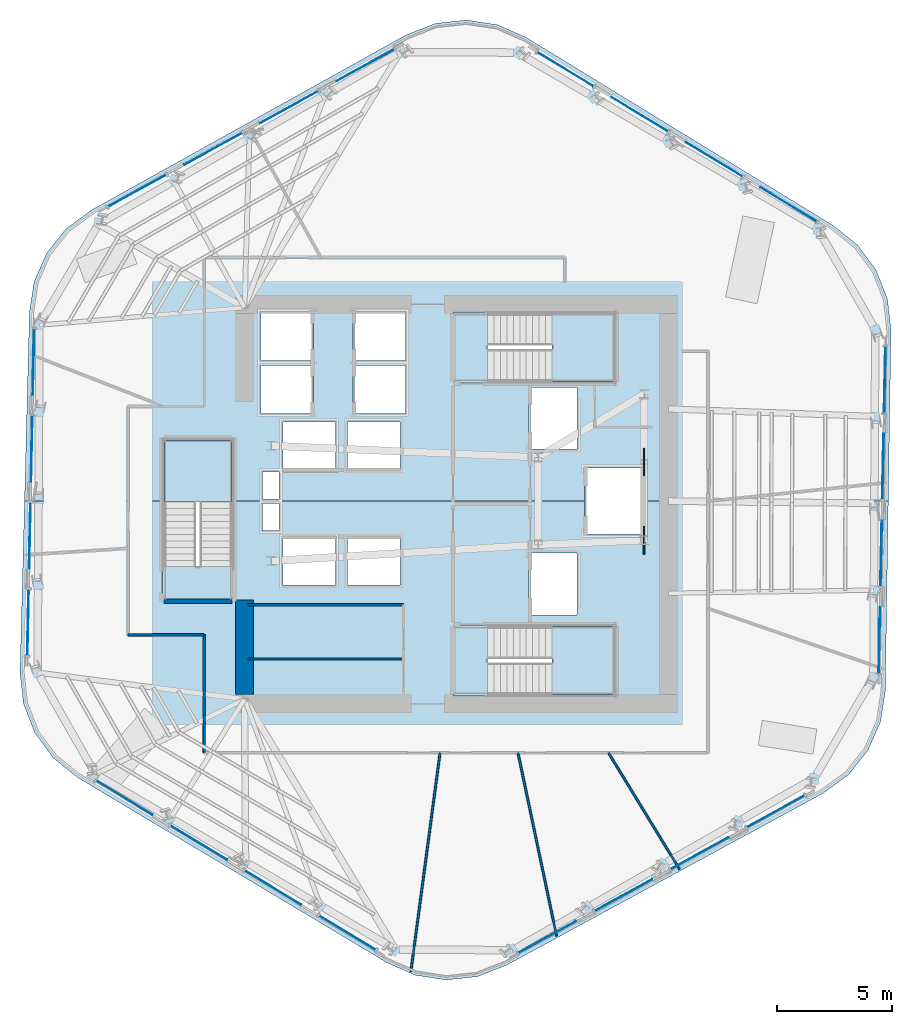
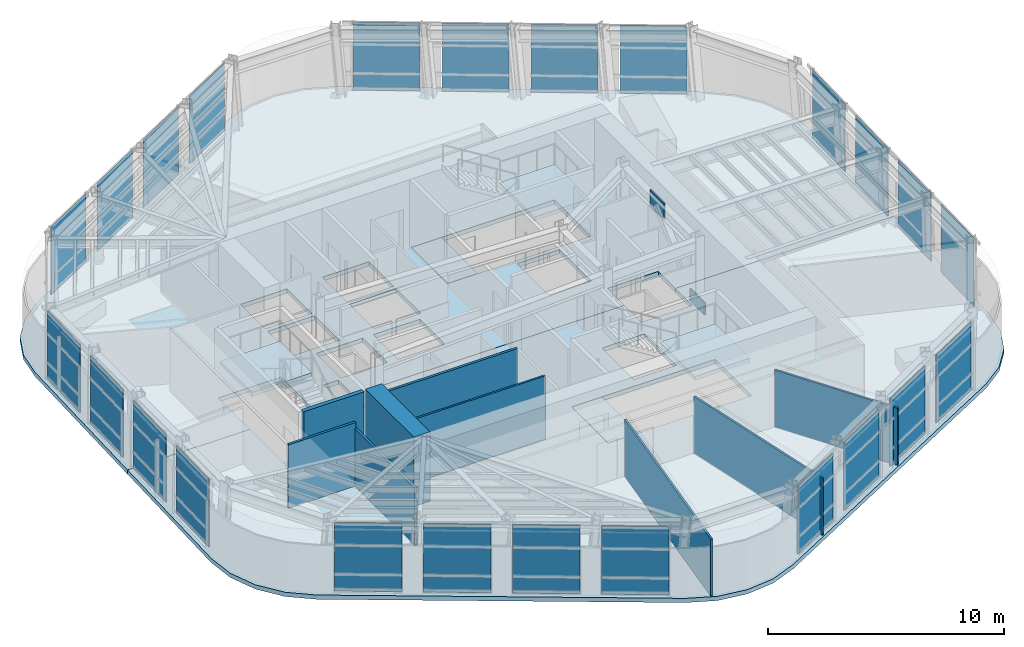
# One storey, part 6 of 14: 26 plates, 9 walls, 8 slabs, 9 elements without a shape of their own.
"""IFC4 building model written with IfcOpenShell, lengths in metres."""

from ifc_helpers import new_model, si_unit, direction, frame, frame_2d, origin, origin_2d, place, context, subcontext, project, spatial, polyline, rectangle, outline, extrude, material, layer, layer_set, type_object, element, aggregate, save


model = new_model("IFC4")

# Units and contexts
model_context = context("Model", 3, precision=1e-05, world=origin(), true_north=direction((0.0, 1.0)))
body_context = subcontext(model_context, "Body", "Model", "MODEL_VIEW")
ifc_project = project(units=[si_unit("LENGTHUNIT", "METRE"), si_unit("AREAUNIT", "SQUARE_METRE"), si_unit("VOLUMEUNIT", "CUBIC_METRE"), si_unit("PLANEANGLEUNIT", "RADIAN"), si_unit("MASSUNIT", "GRAM", prefix="KILO")], contexts=[model_context])

# Site, building, storey
site_placement = place(None, origin())
site = spatial("IfcSite", under=ifc_project, at=site_placement, CompositionType="ELEMENT")
building_placement = place(site_placement, origin())
building = spatial("IfcBuilding", under=site, at=building_placement, Name="Valkerne Bourse Tower", CompositionType="ELEMENT")
storey_placement = place(building_placement, frame((0.0, 0.0, 147.60009765625)))
storey = spatial("IfcBuildingStorey", under=building, at=storey_placement, Name="L37", CompositionType="ELEMENT", Elevation=147.60009765625)

# Curtain wall, plates
ifc_material_1 = material(Name="Aluminium AA 6063-T6", Category="aluminium")
ifc_layer_1 = layer(ifc_material_1, 0.235107421875)
ifc_layer_set_1 = layer_set([ifc_layer_1], Name="Aluminium AA 6063-T6")
curtain_wall_type = type_object("IfcCurtainWallType", Name="CW-03", PredefinedType="NOTDEFINED", material=ifc_layer_set_1)
curtain_wall_1_placement = place(storey_placement, origin())
curtain_wall_1 = element("IfcCurtainWall", 1, at=curtain_wall_1_placement, inside=storey, type_object=curtain_wall_type, Name="L37 Hexagonal Stick Curtain Wall Face 1", PredefinedType="NOTDEFINED")
ifc_material_2 = material(Name="Glass IGU Low-E Double Glazed", Category="glass")
ifc_layer_2 = layer(ifc_material_2, 0.031982421875)
ifc_layer_set_2 = layer_set([ifc_layer_2], Name="Glass IGU Low-E Double Glazed")
plate_type_1 = type_object("IfcPlateType", Name="CW-PNL-IGU-32", PredefinedType="CURTAIN_PANEL", material=ifc_layer_set_2)
plate_1_placement = place(storey_placement, frame((61.213134765625, 39.879638671875, 0.02978515625), z_axis=(0.0, 0.0, 1.0), x_axis=(-0.855356297425, 0.518040157184, 0.0)))
plate_1 = element("IfcPlate", 2, at=plate_1_placement, type_object=plate_type_1, Name="CW-L37-F1 Curtain Panel 00", PredefinedType="CURTAIN_PANEL", context=body_context, shape_type="SweptSolid", body=[
    extrude(rectangle(XDim=2.850830078125, YDim=0.031982421875, at=origin_2d()), origin(), (0.0, 0.0, 1.0), 3.52001953125),
])
plate_2_placement = place(storey_placement, frame((57.98779296875, 41.833251953125, 0.02978515625), z_axis=(0.0, 0.0, 1.0), x_axis=(-0.855363413851, 0.518028406794, 0.0)))
plate_2 = element("IfcPlate", 3, at=plate_2_placement, type_object=plate_type_1, Name="CW-L37-F1 Curtain Panel 01", PredefinedType="CURTAIN_PANEL", context=body_context, shape_type="SweptSolid", body=[
    extrude(rectangle(XDim=2.85107421875, YDim=0.031982421875, at=origin_2d()), origin(), (0.0, 0.0, 1.0), 3.52001953125),
])
plate_3_placement = place(storey_placement, frame((54.76220703125, 43.78662109375, 0.02978515625), z_axis=(0.0, 0.0, 1.0), x_axis=(-0.855363413851, 0.518028406794, 0.0)))
plate_3 = element("IfcPlate", 4, at=plate_3_placement, type_object=plate_type_1, Name="CW-L37-F1 Curtain Panel 02", PredefinedType="CURTAIN_PANEL", context=body_context, shape_type="SweptSolid", body=[
    extrude(rectangle(XDim=2.85107421875, YDim=0.031982421875, at=origin_2d()), origin(), (0.0, 0.0, 1.0), 3.52001953125),
])
plate_4_placement = place(storey_placement, frame((51.53662109375, 45.739990234375, 0.02978515625), z_axis=(0.0, 0.0, 1.0), x_axis=(-0.855375163968, 0.518009004619, 0.0)))
plate_4 = element("IfcPlate", 5, at=plate_4_placement, type_object=plate_type_1, Name="CW-L37-F1 Curtain Panel 03", PredefinedType="CURTAIN_PANEL", context=body_context, shape_type="SweptSolid", body=[
    extrude(rectangle(XDim=2.85107421875, YDim=0.031982421875, at=origin_2d()), origin(), (0.0, 0.0, 1.0), 3.52001953125),
])
aggregate(curtain_wall_1, [plate_1, plate_2, plate_3, plate_4])

curtain_wall_2_placement = place(storey_placement, origin())
curtain_wall_2 = element("IfcCurtainWall", 6, at=curtain_wall_2_placement, inside=storey, type_object=curtain_wall_type, Name="L37 Hexagonal Stick Curtain Wall Face 2", PredefinedType="NOTDEFINED")
plate_5_placement = place(storey_placement, frame((42.852294921875, 45.922119140625, 0.02978515625), z_axis=(0.0, 0.0, 1.0), x_axis=(-0.876302677548, -0.481760954543, 0.0)))
plate_5 = element("IfcPlate", 7, at=plate_5_placement, type_object=plate_type_1, Name="CW-L37-F2 Curtain Panel 00", PredefinedType="CURTAIN_PANEL", context=body_context, shape_type="SweptSolid", body=[
    extrude(rectangle(XDim=2.85107421875, YDim=0.031982421875, at=origin_2d()), origin(), (0.0, 0.0, 1.0), 3.52001953125),
])
plate_6_placement = place(storey_placement, frame((39.548095703125, 44.105224609375, 0.02978515625), z_axis=(0.0, 0.0, 1.0), x_axis=(-0.876308832094, -0.481749759516, 0.0)))
plate_6 = element("IfcPlate", 8, at=plate_6_placement, type_object=plate_type_1, Name="CW-L37-F2 Curtain Panel 01", PredefinedType="CURTAIN_PANEL", context=body_context, shape_type="SweptSolid", body=[
    extrude(rectangle(XDim=2.85107421875, YDim=0.031982421875, at=origin_2d()), origin(), (0.0, 0.0, 1.0), 3.52001953125),
])
plate_7_placement = place(storey_placement, frame((36.243408203125, 42.28857421875, 0.02978515625), z_axis=(0.0, 0.0, 1.0), x_axis=(-0.876302677548, -0.481760954543, 0.0)))
plate_7 = element("IfcPlate", 9, at=plate_7_placement, type_object=plate_type_1, Name="CW-L37-F2 Curtain Panel 02", PredefinedType="CURTAIN_PANEL", context=body_context, shape_type="SweptSolid", body=[
    extrude(rectangle(XDim=2.85107421875, YDim=0.031982421875, at=origin_2d()), origin(), (0.0, 0.0, 1.0), 3.52001953125),
])
plate_8_placement = place(storey_placement, frame((32.93896484375, 40.471923828125, 0.02978515625), z_axis=(0.0, 0.0, 1.0), x_axis=(-0.876308832094, -0.481749759516, 0.0)))
plate_8 = element("IfcPlate", 10, at=plate_8_placement, type_object=plate_type_1, Name="CW-L37-F2 Curtain Panel 03", PredefinedType="CURTAIN_PANEL", context=body_context, shape_type="SweptSolid", body=[
    extrude(rectangle(XDim=2.85107421875, YDim=0.031982421875, at=origin_2d()), origin(), (0.0, 0.0, 1.0), 3.52001953125),
])
aggregate(curtain_wall_2, [plate_5, plate_6, plate_7, plate_8])

curtain_wall_3_placement = place(storey_placement, origin())
curtain_wall_3 = element("IfcCurtainWall", 11, at=curtain_wall_3_placement, inside=storey, type_object=curtain_wall_type, Name="L37 Hexagonal Stick Curtain Wall Face 3", PredefinedType="NOTDEFINED")
plate_9_placement = place(storey_placement, frame((28.439208984375, 33.042236328125, 0.02978515625), z_axis=(0.0, 0.0, 1.0), x_axis=(-0.020949197063, -0.99978054149, 0.0)))
plate_9 = element("IfcPlate", 12, at=plate_9_placement, type_object=plate_type_1, Name="CW-L37-F3 Curtain Panel 00", PredefinedType="CURTAIN_PANEL", context=body_context, shape_type="SweptSolid", body=[
    extrude(rectangle(XDim=2.85107421875, YDim=0.031982421875, at=origin_2d()), origin(), (0.0, 0.0, 1.0), 3.52001953125),
])
plate_10_placement = place(storey_placement, frame((28.3603515625, 29.272216796875, 0.02978515625), z_axis=(0.0, 0.0, 1.0), x_axis=(-0.020949752497, -0.999780529852, 0.0)))
plate_10 = element("IfcPlate", 13, at=plate_10_placement, type_object=plate_type_1, Name="CW-L37-F3 Curtain Panel 01", PredefinedType="CURTAIN_PANEL", context=body_context, shape_type="SweptSolid", body=[
    extrude(rectangle(XDim=2.850830078125, YDim=0.031982421875, at=origin_2d()), origin(), (0.0, 0.0, 1.0), 3.52001953125),
])
plate_11_placement = place(storey_placement, frame((28.28125, 25.501953125, 0.02978515625), z_axis=(0.0, 0.0, 1.0), x_axis=(-0.020922690712, -0.999781096547, 0.0)))
plate_11 = element("IfcPlate", 14, at=plate_11_placement, type_object=plate_type_1, Name="CW-L37-F3 Curtain Panel 02", PredefinedType="CURTAIN_PANEL", context=body_context, shape_type="SweptSolid", body=[
    extrude(rectangle(XDim=2.85107421875, YDim=0.031982421875, at=origin_2d()), origin(), (0.0, 0.0, 1.0), 3.52001953125),
])
plate_12_placement = place(storey_placement, frame((28.202392578125, 21.731689453125, 0.02978515625), z_axis=(0.0, 0.0, 1.0), x_axis=(-0.020949197063, -0.99978054149, 0.0)))
plate_12 = element("IfcPlate", 15, at=plate_12_placement, type_object=plate_type_1, Name="CW-L37-F3 Curtain Panel 03", PredefinedType="CURTAIN_PANEL", context=body_context, shape_type="SweptSolid", body=[
    extrude(rectangle(XDim=2.85107421875, YDim=0.031982421875, at=origin_2d()), origin(), (0.0, 0.0, 1.0), 3.52001953125),
])
aggregate(curtain_wall_3, [plate_9, plate_10, plate_11, plate_12])

curtain_wall_4_placement = place(storey_placement, origin())
curtain_wall_4 = element("IfcCurtainWall", 16, at=curtain_wall_4_placement, inside=storey, type_object=curtain_wall_type, Name="L37 Hexagonal Stick Curtain Wall Face 4", PredefinedType="NOTDEFINED")
plate_13_placement = place(storey_placement, frame((32.38671875, 14.120361328125, 0.02978515625), z_axis=(0.0, 0.0, 1.0), x_axis=(0.855356297425, -0.518040157184, 0.0)))
plate_13 = element("IfcPlate", 17, at=plate_13_placement, type_object=plate_type_1, Name="CW-L37-F4 Curtain Panel 00", PredefinedType="CURTAIN_PANEL", context=body_context, shape_type="SweptSolid", body=[
    extrude(rectangle(XDim=2.850830078125, YDim=0.031982421875, at=origin_2d()), origin(), (0.0, 0.0, 1.0), 3.52001953125),
])
plate_14_placement = place(storey_placement, frame((35.6123046875, 12.166748046875, 0.02978515625), z_axis=(0.0, 0.0, 1.0), x_axis=(0.855363413851, -0.518028406794, 0.0)))
plate_14 = element("IfcPlate", 18, at=plate_14_placement, type_object=plate_type_1, Name="CW-L37-F4 Curtain Panel 01", PredefinedType="CURTAIN_PANEL", context=body_context, shape_type="SweptSolid", body=[
    extrude(rectangle(XDim=2.85107421875, YDim=0.031982421875, at=origin_2d()), origin(), (0.0, 0.0, 1.0), 3.52001953125),
])
plate_15_placement = place(storey_placement, frame((38.837890625, 10.21337890625, 0.02978515625), z_axis=(0.0, 0.0, 1.0), x_axis=(0.855363413851, -0.518028406794, 0.0)))
plate_15 = element("IfcPlate", 19, at=plate_15_placement, type_object=plate_type_1, Name="CW-L37-F4 Curtain Panel 02", PredefinedType="CURTAIN_PANEL", context=body_context, shape_type="SweptSolid", body=[
    extrude(rectangle(XDim=2.85107421875, YDim=0.031982421875, at=origin_2d()), origin(), (0.0, 0.0, 1.0), 3.52001953125),
])
plate_16_placement = place(storey_placement, frame((42.063720703125, 8.260009765625, 0.02978515625), z_axis=(0.0, 0.0, 1.0), x_axis=(0.855375163968, -0.518009004619, 0.0)))
plate_16 = element("IfcPlate", 20, at=plate_16_placement, type_object=plate_type_1, Name="CW-L37-F4 Curtain Panel 03", PredefinedType="CURTAIN_PANEL", context=body_context, shape_type="SweptSolid", body=[
    extrude(rectangle(XDim=2.85107421875, YDim=0.031982421875, at=origin_2d()), origin(), (0.0, 0.0, 1.0), 3.52001953125),
])
aggregate(curtain_wall_4, [plate_13, plate_14, plate_15, plate_16])

curtain_wall_5_placement = place(storey_placement, origin())
curtain_wall_5 = element("IfcCurtainWall", 21, at=curtain_wall_5_placement, inside=storey, type_object=curtain_wall_type, Name="L37 Hexagonal Stick Curtain Wall Face 5", PredefinedType="NOTDEFINED")
plate_17_placement = place(storey_placement, frame((50.74755859375, 8.077880859375, 0.02978515625), z_axis=(0.0, 0.0, 1.0), x_axis=(0.876302677548, 0.481760954543, 0.0)))
plate_17 = element("IfcPlate", 22, at=plate_17_placement, type_object=plate_type_1, Name="CW-L37-F5 Curtain Panel 00", PredefinedType="CURTAIN_PANEL", context=body_context, shape_type="SweptSolid", body=[
    extrude(rectangle(XDim=2.85107421875, YDim=0.031982421875, at=origin_2d()), origin(), (0.0, 0.0, 1.0), 3.52001953125),
])
plate_18_placement = place(storey_placement, frame((54.052001953125, 9.894775390625, 0.02978515625), z_axis=(0.0, 0.0, 1.0), x_axis=(0.876308832094, 0.481749759516, 0.0)))
plate_18 = element("IfcPlate", 23, at=plate_18_placement, type_object=plate_type_1, Name="CW-L37-F5 Curtain Panel 01", PredefinedType="CURTAIN_PANEL", context=body_context, shape_type="SweptSolid", body=[
    extrude(rectangle(XDim=2.85107421875, YDim=0.031982421875, at=origin_2d()), origin(), (0.0, 0.0, 1.0), 3.52001953125),
])
plate_19_placement = place(storey_placement, frame((57.356689453125, 11.71142578125, 0.02978515625), z_axis=(0.0, 0.0, 1.0), x_axis=(0.876302677548, 0.481760954543, 0.0)))
plate_19 = element("IfcPlate", 24, at=plate_19_placement, type_object=plate_type_1, Name="CW-L37-F5 Curtain Panel 02", PredefinedType="CURTAIN_PANEL", context=body_context, shape_type="SweptSolid", body=[
    extrude(rectangle(XDim=2.85107421875, YDim=0.031982421875, at=origin_2d()), origin(), (0.0, 0.0, 1.0), 3.52001953125),
])
plate_20_placement = place(storey_placement, frame((60.6611328125, 13.528076171875, 0.02978515625), z_axis=(0.0, 0.0, 1.0), x_axis=(0.876308832094, 0.481749759516, 0.0)))
plate_20 = element("IfcPlate", 25, at=plate_20_placement, type_object=plate_type_1, Name="CW-L37-F5 Curtain Panel 03", PredefinedType="CURTAIN_PANEL", context=body_context, shape_type="SweptSolid", body=[
    extrude(rectangle(XDim=2.85107421875, YDim=0.031982421875, at=origin_2d()), origin(), (0.0, 0.0, 1.0), 3.52001953125),
])
aggregate(curtain_wall_5, [plate_17, plate_18, plate_19, plate_20])

curtain_wall_6_placement = place(storey_placement, origin())
curtain_wall_6 = element("IfcCurtainWall", 26, at=curtain_wall_6_placement, inside=storey, type_object=curtain_wall_type, Name="L37 Hexagonal Stick Curtain Wall Face 6", PredefinedType="NOTDEFINED")
plate_21_placement = place(storey_placement, frame((65.16064453125, 20.957763671875, 0.02978515625), z_axis=(0.0, 0.0, 1.0), x_axis=(0.020949197063, 0.99978054149, 0.0)))
plate_21 = element("IfcPlate", 27, at=plate_21_placement, type_object=plate_type_1, Name="CW-L37-F6 Curtain Panel 00", PredefinedType="CURTAIN_PANEL", context=body_context, shape_type="SweptSolid", body=[
    extrude(rectangle(XDim=2.85107421875, YDim=0.031982421875, at=origin_2d()), origin(), (0.0, 0.0, 1.0), 3.52001953125),
])
plate_22_placement = place(storey_placement, frame((65.23974609375, 24.727783203125, 0.02978515625), z_axis=(0.0, 0.0, 1.0), x_axis=(0.020949752497, 0.999780529852, 0.0)))
plate_22 = element("IfcPlate", 28, at=plate_22_placement, type_object=plate_type_1, Name="CW-L37-F6 Curtain Panel 01", PredefinedType="CURTAIN_PANEL", context=body_context, shape_type="SweptSolid", body=[
    extrude(rectangle(XDim=2.850830078125, YDim=0.031982421875, at=origin_2d()), origin(), (0.0, 0.0, 1.0), 3.52001953125),
])
plate_23_placement = place(storey_placement, frame((65.318603515625, 28.498046875, 0.02978515625), z_axis=(0.0, 0.0, 1.0), x_axis=(0.020922690712, 0.999781096547, 0.0)))
plate_23 = element("IfcPlate", 29, at=plate_23_placement, type_object=plate_type_1, Name="CW-L37-F6 Curtain Panel 02", PredefinedType="CURTAIN_PANEL", context=body_context, shape_type="SweptSolid", body=[
    extrude(rectangle(XDim=2.85107421875, YDim=0.031982421875, at=origin_2d()), origin(), (0.0, 0.0, 1.0), 3.52001953125),
])
plate_24_placement = place(storey_placement, frame((65.397705078125, 32.268310546875, 0.02978515625), z_axis=(0.0, 0.0, 1.0), x_axis=(0.020949197063, 0.99978054149, 0.0)))
plate_24 = element("IfcPlate", 30, at=plate_24_placement, type_object=plate_type_1, Name="CW-L37-F6 Curtain Panel 03", PredefinedType="CURTAIN_PANEL", context=body_context, shape_type="SweptSolid", body=[
    extrude(rectangle(XDim=2.85107421875, YDim=0.031982421875, at=origin_2d()), origin(), (0.0, 0.0, 1.0), 3.52001953125),
])
aggregate(curtain_wall_6, [plate_21, plate_22, plate_23, plate_24])

# Plates
ifc_material_3 = material(Name="Steel ASTM A572 Grade 50", Category="steel")
ifc_layer_3 = layer(ifc_material_3, 0.06005859375)
ifc_layer_set_3 = layer_set([ifc_layer_3], Name="Steel ASTM A572 Grade 50")
plate_type_2 = type_object("IfcPlateType", Name="PLT-GUS-60", PredefinedType="SHEET", material=ifc_layer_set_3)
for number, where, z_axis, x_axis, name in (
    (31, (54.949951171875, 25.300048828125, -0.18017578125), (0.0, 0.0, 1.0), (0.0, 1.0, 0.0), "L37 Brace Node Gusset Plate PLT-GUS-END-L37-390"),
    (32, (54.949951171875, 28.699951171875, 2.8740234375), (0.0, 0.0, 1.0), (0.0, 1.0, 0.0), "L37 Brace Node Gusset Plate PLT-GUS-END-L37-391"),
):
    element("IfcPlate", number, at=place(storey_placement, frame(where, z_axis=z_axis, x_axis=x_axis)), inside=storey, type_object=plate_type_2, Name=name, PredefinedType="SHEET", context=body_context, shape_type="SweptSolid", body=[
        extrude(rectangle(XDim=1.199951171875, YDim=0.06005859375, at=origin_2d()), origin(), (0.0, 0.0, 1.0), 0.800048828125),
    ])

# Slabs
ifc_material_4 = material(Name="Concrete C40/50", Category="concrete")
ifc_layer_4 = layer(ifc_material_4, 0.25)
ifc_layer_set_4 = layer_set([ifc_layer_4], Name="Concrete C40/50")
slab_type_1 = type_object("IfcSlabType", Name="SLB-RMP-LND-250", PredefinedType="LANDING", material=ifc_layer_set_4)
slab_1_placement = place(storey_placement, frame((0.0, 0.0, -0.22021484375)))
element("IfcSlab", 33, at=slab_1_placement, inside=storey, type_object=slab_type_1, Name="L37 ST-1 Floor Landing Slab", PredefinedType="LANDING", context=body_context, shape_type="SweptSolid", body=[
    extrude(outline(polyline([(46.669921875, 18.5400390625), (48.14990234375, 18.5400390625), (48.14990234375, 21.610107421875), (46.669921875, 21.610107421875), (46.669921875, 18.5400390625)])), origin(), (0.0, 0.0, 1.0), 0.22021484375),
])
slab_2_placement = place(storey_placement, frame((0.0, 0.0, -0.22021484375)))
element("IfcSlab", 34, at=slab_2_placement, inside=storey, type_object=slab_type_1, Name="L37 ST-2 Floor Landing Slab", PredefinedType="LANDING", context=body_context, shape_type="SweptSolid", body=[
    extrude(outline(polyline([(46.669921875, 32.139892578125), (48.14990234375, 32.139892578125), (48.14990234375, 35.2099609375), (46.669921875, 35.2099609375), (46.669921875, 32.139892578125)])), origin(), (0.0, 0.0, 1.0), 0.22021484375),
])
slab_3_placement = place(storey_placement, frame((0.0, 0.0, -0.22021484375)))
element("IfcSlab", 35, at=slab_3_placement, inside=storey, type_object=slab_type_1, Name="L37 ST-3 Floor Landing Slab", PredefinedType="LANDING", context=body_context, shape_type="SweptSolid", body=[
    extrude(outline(polyline([(37.110107421875, 22.669921875), (37.110107421875, 24.14990234375), (34.0400390625, 24.14990234375), (34.0400390625, 22.669921875), (37.110107421875, 22.669921875)])), origin(), (0.0, 0.0, 1.0), 0.22021484375),
])

# Stair, slab
stair_type = type_object("IfcStairType", Name="ST-CORE-1400", PredefinedType="HALF_TURN_STAIR", material=ifc_material_4)
stair_1_placement = place(storey_placement, origin())
stair_1 = element("IfcStair", 36, at=stair_1_placement, inside=storey, type_object=stair_type, Name="L37 ST-1", PredefinedType="HALF_TURN_STAIR")
ifc_layer_5 = layer(ifc_material_4, 0.179931640625)
ifc_layer_set_5 = layer_set([ifc_layer_5], Name="Concrete C40/50")
slab_type_2 = type_object("IfcSlabType", Name="SLB-ST-LND-180", PredefinedType="LANDING", material=ifc_layer_set_5)
slab_4_placement = place(storey_placement, frame((0.0, 0.0, 1.699951171875)))
slab_4 = element("IfcSlab", 37, at=slab_4_placement, type_object=slab_type_2, Name="ST-1 landing 1", PredefinedType="LANDING", context=body_context, shape_type="SweptSolid", body=[
    extrude(outline(polyline([(50.949951171875, 18.60009765625), (53.64990234375, 18.60009765625), (53.64990234375, 21.550048828125), (50.949951171875, 21.550048828125), (50.949951171875, 18.60009765625)])), origin(), (0.0, 0.0, 1.0), 0.199951171875),
])
aggregate(stair_1, [slab_4])

stair_2_placement = place(storey_placement, origin())
stair_2 = element("IfcStair", 38, at=stair_2_placement, inside=storey, type_object=stair_type, Name="L37 ST-2", PredefinedType="HALF_TURN_STAIR")
slab_5_placement = place(storey_placement, frame((0.0, 0.0, 1.699951171875)))
slab_5 = element("IfcSlab", 39, at=slab_5_placement, type_object=slab_type_2, Name="ST-2 landing 1", PredefinedType="LANDING", context=body_context, shape_type="SweptSolid", body=[
    extrude(outline(polyline([(50.949951171875, 32.199951171875), (53.64990234375, 32.199951171875), (53.64990234375, 35.14990234375), (50.949951171875, 35.14990234375), (50.949951171875, 32.199951171875)])), origin(), (0.0, 0.0, 1.0), 0.199951171875),
])
aggregate(stair_2, [slab_5])

stair_3_placement = place(storey_placement, origin())
stair_3 = element("IfcStair", 40, at=stair_3_placement, inside=storey, type_object=stair_type, Name="L37 ST-3", PredefinedType="HALF_TURN_STAIR")
slab_6_placement = place(storey_placement, frame((0.0, 0.0, 1.699951171875)))
slab_6 = element("IfcSlab", 41, at=slab_6_placement, type_object=slab_type_2, Name="ST-3 landing 1", PredefinedType="LANDING", context=body_context, shape_type="SweptSolid", body=[
    extrude(outline(polyline([(37.050048828125, 26.949951171875), (37.050048828125, 29.64990234375), (34.10009765625, 29.64990234375), (34.10009765625, 26.949951171875), (37.050048828125, 26.949951171875)])), origin(), (0.0, 0.0, 1.0), 0.199951171875),
])
aggregate(stair_3, [slab_6])

# Slabs
ifc_layer_6 = layer(ifc_material_4, 0.219970703125)
ifc_layer_set_6 = layer_set([ifc_layer_6], Name="Concrete C40/50")
slab_type_3 = type_object("IfcSlabType", Name="SLB-TOW-220", PredefinedType="FLOOR", material=ifc_layer_set_6)
slab_7_placement = place(storey_placement, frame((0.0, 0.0, -0.22021484375)))
element("IfcSlab", 42, at=slab_7_placement, inside=storey, type_object=slab_type_3, Name="L37 Hexagonal Composite Floor Slab S", PredefinedType="FLOOR", context=body_context, shape_type="SweptSolid", body=[
    extrude(outline(polyline([(65.213134765625, 17.422119140625), (64.66748046875, 16.178955078125), (63.81884765625, 15.11962890625), (62.724853515625, 14.31591796875), (48.978515625, 6.85107421875), (47.7138671875, 6.35791015625), (46.364501953125, 6.208984375), (45.022705078125, 6.414306640625), (43.77978515625, 6.9599609375), (30.35791015625, 14.993896484375), (29.298583984375, 15.8427734375), (28.4951171875, 16.936767578125), (28.001953125, 18.201416015625), (27.852783203125, 19.55078125), (28.047607421875, 27.0), (34.034912109375, 27.0), (34.034912109375, 22.6650390625), (37.114990234375, 22.6650390625), (37.114990234375, 27.0), (52.360107421875, 27.0), (52.360107421875, 25.56005859375), (54.840087890625, 25.56005859375), (54.840087890625, 27.0), (65.548583984375, 27.0), (65.41845703125, 18.763916015625), (65.213134765625, 17.422119140625)]), holes=[polyline([(41.5400390625, 25.43994140625), (39.260009765625, 25.43994140625), (39.260009765625, 23.360107421875), (41.5400390625, 23.360107421875), (41.5400390625, 25.43994140625)]), polyline([(44.340087890625, 25.43994140625), (42.06005859375, 25.43994140625), (42.06005859375, 23.360107421875), (44.340087890625, 23.360107421875), (44.340087890625, 25.43994140625)]), polyline([(39.10009765625, 26.89990234375), (38.3798828125, 26.89990234375), (38.3798828125, 25.72998046875), (39.10009765625, 25.72998046875), (39.10009765625, 26.89990234375)]), polyline([(53.675048828125, 21.614990234375), (46.6650390625, 21.614990234375), (46.6650390625, 18.534912109375), (53.675048828125, 18.534912109375), (53.675048828125, 21.614990234375)]), polyline([(52.0400390625, 24.739990234375), (49.9599609375, 24.739990234375), (49.9599609375, 22.06005859375), (52.0400390625, 22.06005859375), (52.0400390625, 24.739990234375)])]), origin(), (0.0, 0.0, 1.0), 0.22021484375),
])
slab_8_placement = place(storey_placement, frame((0.0, 0.0, -0.22021484375)))
element("IfcSlab", 43, at=slab_8_placement, inside=storey, type_object=slab_type_3, Name="L37 Hexagonal Composite Floor Slab N", PredefinedType="FLOOR", context=body_context, shape_type="SweptSolid", body=[
    extrude(outline(polyline([(28.26123046875, 35.187744140625), (28.466552734375, 36.52978515625), (29.01220703125, 37.772705078125), (29.861083984375, 38.83203125), (30.955078125, 39.6357421875), (44.623291015625, 47.2421875), (45.88818359375, 47.7353515625), (47.237548828125, 47.88427734375), (48.579345703125, 47.678955078125), (49.822265625, 47.13330078125), (63.16015625, 38.961181640625), (64.219482421875, 38.1123046875), (65.023193359375, 37.018310546875), (65.516357421875, 35.753662109375), (65.665283203125, 34.404296875), (65.548583984375, 27.0), (54.840087890625, 27.0), (54.840087890625, 28.43994140625), (52.360107421875, 28.43994140625), (52.360107421875, 27.0), (37.114990234375, 27.0), (37.114990234375, 29.675048828125), (34.034912109375, 29.675048828125), (34.034912109375, 27.0), (28.047607421875, 27.0), (28.26123046875, 35.187744140625)]), holes=[polyline([(39.10009765625, 28.27001953125), (38.3798828125, 28.27001953125), (38.3798828125, 27.10009765625), (39.10009765625, 27.10009765625), (39.10009765625, 28.27001953125)]), polyline([(41.5400390625, 30.43994140625), (39.260009765625, 30.43994140625), (39.260009765625, 28.360107421875), (41.5400390625, 28.360107421875), (41.5400390625, 30.43994140625)]), polyline([(40.590087890625, 32.889892578125), (38.31005859375, 32.889892578125), (38.31005859375, 30.81005859375), (40.590087890625, 30.81005859375), (40.590087890625, 32.889892578125)]), polyline([(40.590087890625, 35.18994140625), (38.31005859375, 35.18994140625), (38.31005859375, 33.110107421875), (40.590087890625, 33.110107421875), (40.590087890625, 35.18994140625)]), polyline([(44.340087890625, 30.43994140625), (42.06005859375, 30.43994140625), (42.06005859375, 28.360107421875), (44.340087890625, 28.360107421875), (44.340087890625, 30.43994140625)]), polyline([(52.0400390625, 31.93994140625), (49.9599609375, 31.93994140625), (49.9599609375, 29.260009765625), (52.0400390625, 29.260009765625), (52.0400390625, 31.93994140625)]), polyline([(44.590087890625, 32.889892578125), (42.31005859375, 32.889892578125), (42.31005859375, 30.81005859375), (44.590087890625, 30.81005859375), (44.590087890625, 32.889892578125)]), polyline([(53.675048828125, 35.215087890625), (46.6650390625, 35.215087890625), (46.6650390625, 32.135009765625), (53.675048828125, 32.135009765625), (53.675048828125, 35.215087890625)]), polyline([(44.590087890625, 35.18994140625), (42.31005859375, 35.18994140625), (42.31005859375, 33.110107421875), (44.590087890625, 33.110107421875), (44.590087890625, 35.18994140625)])]), origin(), (0.0, 0.0, 1.0), 0.22021484375),
])

# Walls
ifc_material_5 = material(Name="Concrete C55/67", Category="concrete")
ifc_layer_7 = layer(ifc_material_5, 0.800048828125)
ifc_layer_set_7 = layer_set([ifc_layer_7], Name="Concrete C55/67")
wall_type_1 = type_object("IfcWallType", Name="W-CORE-800", PredefinedType="SHEAR", material=ifc_layer_set_7)
wall_1_placement = place(storey_placement, frame((37.60009765625, 18.60009765625, 0.0), z_axis=(0.0, 0.0, 1.0), x_axis=(0.0, 1.0, 0.0)))
element("IfcWall", 44, at=wall_1_placement, inside=storey, type_object=wall_type_1, Name="L37 Core Shear Wall WEST-S", PredefinedType="SHEAR", context=body_context, shape_type="SweptSolid", body=[
    extrude(rectangle(XDim=4.099853515625, YDim=0.800048828125, at=frame_2d((2.0498046875, 0.0))), origin(), (0.0, 0.0, 1.0), 3.579833984375),
])
ifc_material_6 = material(Name="Gypsum Board Steel-Stud Partition", Category="steel")
ifc_layer_8 = layer(ifc_material_6, 0.117919921875)
ifc_layer_set_8 = layer_set([ifc_layer_8], Name="Gypsum Board Steel-Stud Partition")
wall_type_2 = type_object("IfcWallType", Name="W-CORR-140", PredefinedType="PARTITIONING", material=ifc_layer_set_8)
wall_2_placement = place(storey_placement, frame((37.75, 22.5, 0.0), z_axis=(0.0, 0.0, 1.0), x_axis=(1.0, 0.0, 0.0)))
element("IfcWall", 45, at=wall_2_placement, inside=storey, type_object=wall_type_2, Name="L37 LV7 Low-Bank North Wall", PredefinedType="PARTITIONING", context=body_context, shape_type="SweptSolid", body=[
    extrude(rectangle(XDim=6.75, YDim=0.117919921875, at=frame_2d((3.375, 0.0))), origin(), (0.0, 0.0, 1.0), 3.27978515625),
])
wall_3_placement = place(storey_placement, frame((35.85009765625, 16.080078125, 0.0), z_axis=(0.0, 0.0, 1.0), x_axis=(0.0, 1.0, 0.0)))
element("IfcWall", 46, at=wall_3_placement, inside=storey, type_object=wall_type_2, Name="L37 Corridor Enclosure Wall", PredefinedType="PARTITIONING", context=body_context, shape_type="SweptSolid", body=[
    extrude(rectangle(XDim=5.119873046875, YDim=0.117919921875, at=frame_2d((2.56005859375, 0.0))), origin(), (0.0, 0.0, 1.0), 2.962890625),
])
wall_4_placement = place(storey_placement, frame((35.85009765625, 21.199951171875, 0.0), z_axis=(0.0, 0.0, 1.0), x_axis=(-1.0, 0.0, 0.0)))
element("IfcWall", 47, at=wall_4_placement, inside=storey, type_object=wall_type_2, Name="L37 Corridor Enclosure Wall", PredefinedType="PARTITIONING", context=body_context, shape_type="SweptSolid", body=[
    extrude(rectangle(XDim=3.300048828125, YDim=0.117919921875, at=frame_2d((1.64990234375, 0.0))), origin(), (0.0, 0.0, 1.0), 3.27978515625),
])
ifc_layer_9 = layer(ifc_material_6, 0.092041015625)
ifc_layer_set_9 = layer_set([ifc_layer_9], Name="Gypsum Board Steel-Stud Partition")
wall_type_3 = type_object("IfcWallType", Name="W-PART-115", PredefinedType="PARTITIONING", material=ifc_layer_set_9)
wall_5_placement = place(storey_placement, frame((37.75, 20.14990234375, 0.0), z_axis=(0.0, 0.0, 1.0), x_axis=(1.0, 0.0, 0.0)))
element("IfcWall", 48, at=wall_5_placement, inside=storey, type_object=wall_type_3, Name="L37 LV7 Low-Bank Sub-Divider", PredefinedType="PARTITIONING", context=body_context, shape_type="SweptSolid", body=[
    extrude(rectangle(XDim=6.75, YDim=0.092041015625, at=frame_2d((3.375, 0.0))), origin(), (0.0, 0.0, 1.0), 3.27978515625),
])
wall_6_placement = place(storey_placement, frame((46.089111328125, 16.074951171875, 0.0), z_axis=(0.0, 0.0, 1.0), x_axis=(-0.132260535361, -0.991214987168, 0.0)))
element("IfcWall", 49, at=wall_6_placement, inside=storey, type_object=wall_type_3, Name="L37 Suite Partition P01", PredefinedType="PARTITIONING", context=body_context, shape_type="SweptSolid", body=[
    extrude(rectangle(XDim=9.580322265625, YDim=0.092041015625, at=frame_2d((4.7900390625, 0.0))), origin(), (0.0, 0.0, 1.0), 2.9423828125),
])
wall_7_placement = place(storey_placement, frame((49.470458984375, 16.074951171875, 0.0), z_axis=(0.0, 0.0, 1.0), x_axis=(0.206222087895, -0.978505212283, 0.0)))
element("IfcWall", 50, at=wall_7_placement, inside=storey, type_object=wall_type_3, Name="L37 Suite Partition P02", PredefinedType="PARTITIONING", context=body_context, shape_type="SweptSolid", body=[
    extrude(rectangle(XDim=8.140380859375, YDim=0.092041015625, at=frame_2d((4.0703125, 0.0))), origin(), (0.0, 0.0, 1.0), 2.9423828125),
])
wall_8_placement = place(storey_placement, frame((53.397216796875, 16.074951171875, 0.0), z_axis=(0.0, 0.0, 1.0), x_axis=(0.521020622662, -0.853544088352, 0.0)))
element("IfcWall", 51, at=wall_8_placement, inside=storey, type_object=wall_type_3, Name="L37 Suite Partition P03", PredefinedType="PARTITIONING", context=body_context, shape_type="SweptSolid", body=[
    extrude(rectangle(XDim=5.9345703125, YDim=0.092041015625, at=frame_2d((2.96728515625, 0.0))), origin(), (0.0, 0.0, 1.0), 2.9423828125),
])
ifc_layer_10 = layer(ifc_material_4, 0.199951171875)
ifc_layer_set_10 = layer_set([ifc_layer_10], Name="Concrete C40/50")
wall_type_4 = type_object("IfcWallType", Name="W-SHF-200", PredefinedType="SHEAR", material=ifc_layer_set_10)
wall_9_placement = place(storey_placement, frame((34.10009765625, 22.64990234375, 0.0), z_axis=(0.0, 0.0, 1.0), x_axis=(1.0, 0.0, 0.0)))
element("IfcWall", 52, at=wall_9_placement, inside=storey, type_object=wall_type_4, Name="L37 Exit Stair ST-3 Structural Shaft Wall South", PredefinedType="SHEAR", context=body_context, shape_type="SweptSolid", body=[
    extrude(rectangle(XDim=2.949951171875, YDim=0.199951171875, at=frame_2d((1.47509765625, 0.0))), origin(), (0.0, 0.0, 1.0), 3.579833984375),
])

save(model, "model.ifc")
